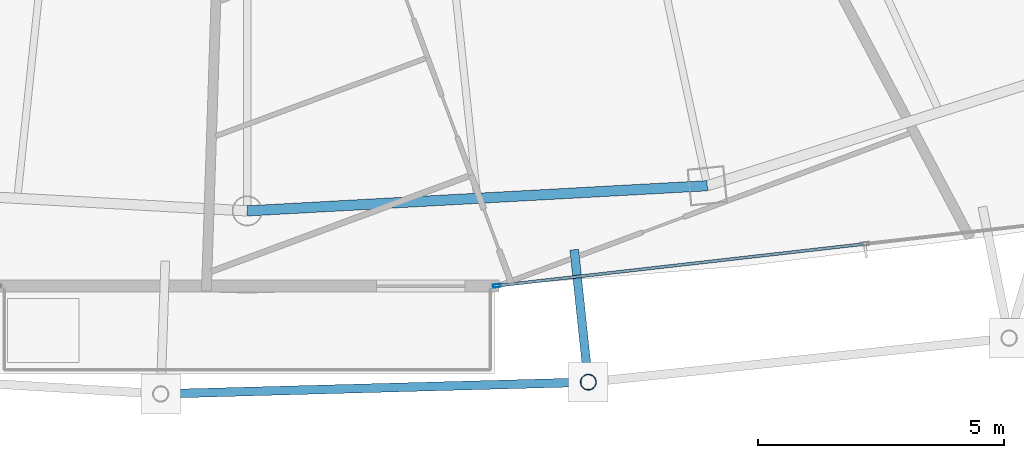
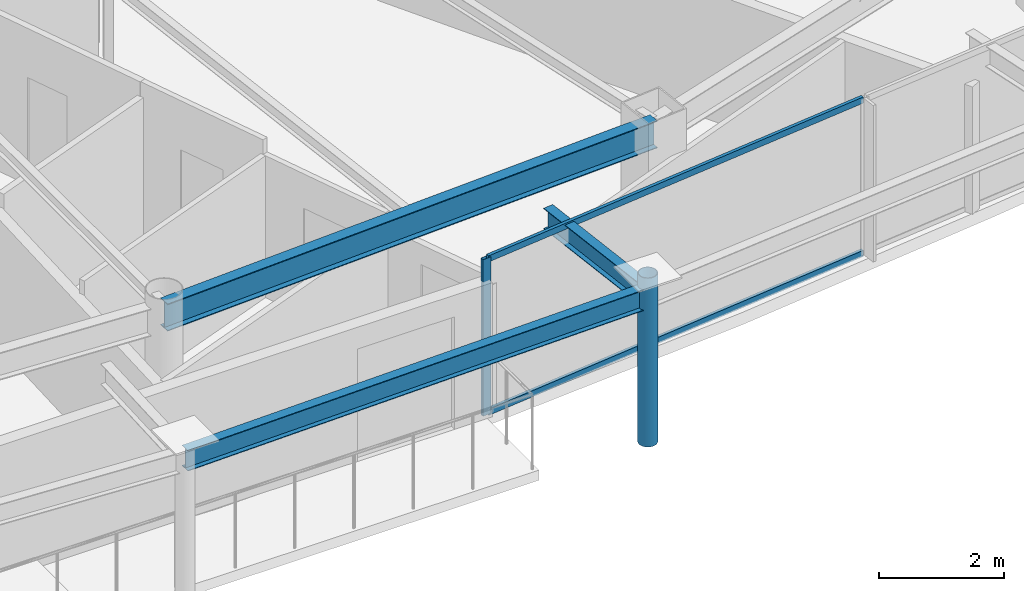
# One storey, part 8 of 29: 4 members, 3 beams, 1 element without a shape of its own.
"""IFC4 building model written with IfcOpenShell, lengths in metres."""

from ifc_helpers import new_model, si_unit, direction, frame, origin, origin_2d, place, context, subcontext, project, spatial, hollow_rectangle, hollow_circle, i_section, extrude, material, layer, layer_set, material_profile, profile_set, type_object, element, aggregate, save


model = new_model("IFC4")

# Units and contexts
model_context = context("Model", 3, precision=1e-05, world=origin(), true_north=direction((0.0, 1.0)))
body_context = subcontext(model_context, "Body", "Model", "MODEL_VIEW")
ifc_project = project(units=[si_unit("LENGTHUNIT", "METRE"), si_unit("AREAUNIT", "SQUARE_METRE"), si_unit("VOLUMEUNIT", "CUBIC_METRE"), si_unit("PLANEANGLEUNIT", "RADIAN"), si_unit("MASSUNIT", "GRAM", prefix="KILO")], contexts=[model_context])

# Site, building, storey
site_placement = place(None, origin())
site = spatial("IfcSite", under=ifc_project, at=site_placement, CompositionType="ELEMENT")
building_placement = place(site_placement, origin())
building = spatial("IfcBuilding", under=site, at=building_placement, Name="Orvanel Arch Residences", CompositionType="ELEMENT")
storey_placement = place(building_placement, frame((0.0, 0.0, 246.949951171875)))
storey = spatial("IfcBuildingStorey", under=building, at=storey_placement, Name="L70", CompositionType="ELEMENT", Elevation=246.949951171875)

# Curtain wall, member
ifc_material_1 = material(Name="Bronze-anodised aluminium AA6063-T6", Category="aluminium")
ifc_layer = layer(ifc_material_1, 0.175048828125)
ifc_layer_set = layer_set([ifc_layer], Name="Bronze-anodised aluminium AA6063-T6")
curtain_wall_type = type_object("IfcCurtainWallType", Name="CW4-HI-SYS", PredefinedType="NOTDEFINED", material=ifc_layer_set)
curtain_wall_placement = place(storey_placement, origin())
curtain_wall = element("IfcCurtainWall", 1, at=curtain_wall_placement, inside=storey, type_object=curtain_wall_type, Name="L70 CW4-HI-SYS Unitised Curtain Wall", PredefinedType="NOTDEFINED")
ifc_material_profile_1 = material_profile(ifc_material_1, hollow_rectangle(XDim=0.06494140625, YDim=0.159912109375, WallThickness=0.00390625, at=origin_2d()), Name="ALU160x65x4")
ifc_profile_set_1 = profile_set([ifc_material_profile_1], Name="Bronze-anodised aluminium AA6063-T6")
member_type_1 = type_object("IfcMemberType", Name="MUL-160x65", PredefinedType="MULLION", material=ifc_profile_set_1)
member_1_placement = place(storey_placement, frame((38.07421875, 5.32177734375, 0.0), z_axis=(0.0, 0.0, 1.0), x_axis=(-0.113000186209, 0.993594966733, 0.0)))
member_1 = element("IfcMember", 2, at=member_1_placement, type_object=member_type_1, Name="CW-S4 mullion 1", PredefinedType="MULLION", context=body_context, shape_type="SweptSolid", body=[
    extrude(hollow_rectangle(XDim=0.06494140625, YDim=0.159912109375, WallThickness=0.00390625, at=origin_2d()), origin(), (0.0, 0.0, 1.0), 3.06005859375),
])

# Beams
ifc_material_2 = material(Name="Structural steel AS/NZS 3679.1 Grade 300 (300 MPa)", Category="steel")
ifc_material_profile_2 = material_profile(ifc_material_2, i_section(OverallWidth=0.177978515625, OverallDepth=0.406005859375, WebThickness=0.0078125, FlangeThickness=0.0126953125, at=origin_2d()), Name="410UB59.7")
ifc_profile_set_2 = profile_set([ifc_material_profile_2], Name="Structural steel AS/NZS 3679.1 Grade 300 (300 MPa)")
beam_type_1 = type_object("IfcBeamType", Name="OB-410UB-EXT", PredefinedType="SPANDREL", material=ifc_profile_set_2)
beam_1_placement = place(storey_placement, frame((31.239990234375, 3.123046875, 2.85693359375), z_axis=(0.999622322633, 0.027481122514, 0.0), x_axis=(-0.027481122514, 0.999622322633, 0.0)))
element("IfcBeam", 3, at=beam_1_placement, inside=storey, type_object=beam_type_1, Name="L70 Outer Perimeter Floor Ring Beam 06", PredefinedType="SPANDREL", context=body_context, shape_type="SweptSolid", body=[
    extrude(i_section(OverallWidth=0.177978515625, OverallDepth=0.406005859375, WebThickness=0.0078125, FlangeThickness=0.0126953125, at=origin_2d()), origin(), (0.0, 0.0, 1.0), 8.697265625),
])
beam_2_placement = place(storey_placement, frame((39.64794921875, 6.055908203125, 2.85693359375), z_axis=(0.10562299446, -0.994406246481, 0.0), x_axis=(0.994406246481, 0.10562299446, 0.0)))
element("IfcBeam", 4, at=beam_2_placement, inside=storey, type_object=beam_type_1, Name="L70 Outer Frame Radial Tie Beam 07", PredefinedType="SPANDREL", context=body_context, shape_type="SweptSolid", body=[
    extrude(i_section(OverallWidth=0.177978515625, OverallDepth=0.406005859375, WebThickness=0.0078125, FlangeThickness=0.0126953125, at=origin_2d()), origin(), (0.0, 0.0, 1.0), 2.708984375),
])
ifc_material_profile_3 = material_profile(ifc_material_2, i_section(OverallWidth=0.208984375, OverallDepth=0.532958984375, WebThickness=0.01025390625, FlangeThickness=0.015625, at=origin_2d()), Name="530UB92.4")
ifc_profile_set_3 = profile_set([ifc_material_profile_3], Name="Structural steel AS/NZS 3679.1 Grade 300 (300 MPa)")
beam_type_2 = type_object("IfcBeamType", Name="SP-530UB", PredefinedType="SPANDREL", material=ifc_profile_set_3)
beam_3_placement = place(storey_placement, frame((33.0, 6.843994140625, 2.79296875), z_axis=(0.998510315598, 0.054563262768, 0.0), x_axis=(-0.054563262768, 0.998510315598, 0.0)))
element("IfcBeam", 5, at=beam_3_placement, inside=storey, type_object=beam_type_2, Name="L70 Perimeter Spandrel Beam 04", PredefinedType="SPANDREL", context=body_context, shape_type="SweptSolid", body=[
    extrude(i_section(OverallWidth=0.208984375, OverallDepth=0.532958984375, WebThickness=0.01025390625, FlangeThickness=0.015625, at=origin_2d()), origin(), (0.0, 0.0, 1.0), 9.364990234375),
])

# Member
ifc_material_3 = material(Name="Structural steel AS/NZS 1163 C350L0 (Grade 350)", Category="steel")
ifc_material_profile_4 = material_profile(ifc_material_3, hollow_circle(Radius=0.162109375, WallThickness=0.0126953125, at=origin_2d()), Name="CHS324x12.7")
ifc_profile_set_4 = profile_set([ifc_material_profile_4], Name="Structural steel AS/NZS 1163 C350L0 (Grade 350)")
member_type_2 = type_object("IfcMemberType", Name="ST-324CHS-EXT", PredefinedType="STRUT", material=ifc_profile_set_4)
member_2_placement = place(storey_placement, frame((39.93408203125, 3.362060546875, 0.0), z_axis=(0.0, 0.0, 1.0), x_axis=(1.0, 0.0, 0.0)))
element("IfcMember", 6, at=member_2_placement, inside=storey, type_object=member_type_2, Name="L70 Outer Perimeter Frame Post 07", PredefinedType="STRUT", context=body_context, shape_type="SweptSolid", body=[
    extrude(hollow_circle(Radius=0.162109375, WallThickness=0.0126953125, at=origin_2d()), origin(), (0.0, 0.0, 1.0), 3.300048828125),
])

ifc_material_profile_5 = material_profile(ifc_material_1, hollow_rectangle(XDim=0.06005859375, YDim=0.1201171875, WallThickness=0.00341796875, at=origin_2d()), Name="ALU120x60x3.5")
ifc_profile_set_5 = profile_set([ifc_material_profile_5], Name="Bronze-anodised aluminium AA6063-T6")
member_type_3 = type_object("IfcMemberType", Name="TRN-120x60", PredefinedType="USERDEFINED", material=ifc_profile_set_5)
member_3_placement = place(storey_placement, frame((38.106689453125, 5.325439453125, 0.030029296875), z_axis=(0.993594408801, 0.113005091922, 0.0), x_axis=(-0.113005091922, 0.993594408801, 0.0)))
member_3 = element("IfcMember", 7, at=member_3_placement, type_object=member_type_3, Name="CW-S4 transom 1.1", ObjectType="TRANSOM", PredefinedType="USERDEFINED", context=body_context, shape_type="SweptSolid", body=[
    extrude(hollow_rectangle(XDim=0.06005859375, YDim=0.1201171875, WallThickness=0.00341796875, at=origin_2d()), origin(), (0.0, 0.0, 1.0), 7.46435546875),
])

member_4_placement = place(storey_placement, frame((38.106689453125, 5.325439453125, 3.030029296875), z_axis=(0.993594408801, 0.113005091922, 0.0), x_axis=(-0.113005091922, 0.993594408801, 0.0)))
member_4 = element("IfcMember", 8, at=member_4_placement, type_object=member_type_3, Name="CW-S4 transom 1.2", ObjectType="TRANSOM", PredefinedType="USERDEFINED", context=body_context, shape_type="SweptSolid", body=[
    extrude(hollow_rectangle(XDim=0.06005859375, YDim=0.1201171875, WallThickness=0.00341796875, at=origin_2d()), origin(), (0.0, 0.0, 1.0), 7.46435546875),
])

aggregate(curtain_wall, [member_1, member_3, member_4])

save(model, "model.ifc")
